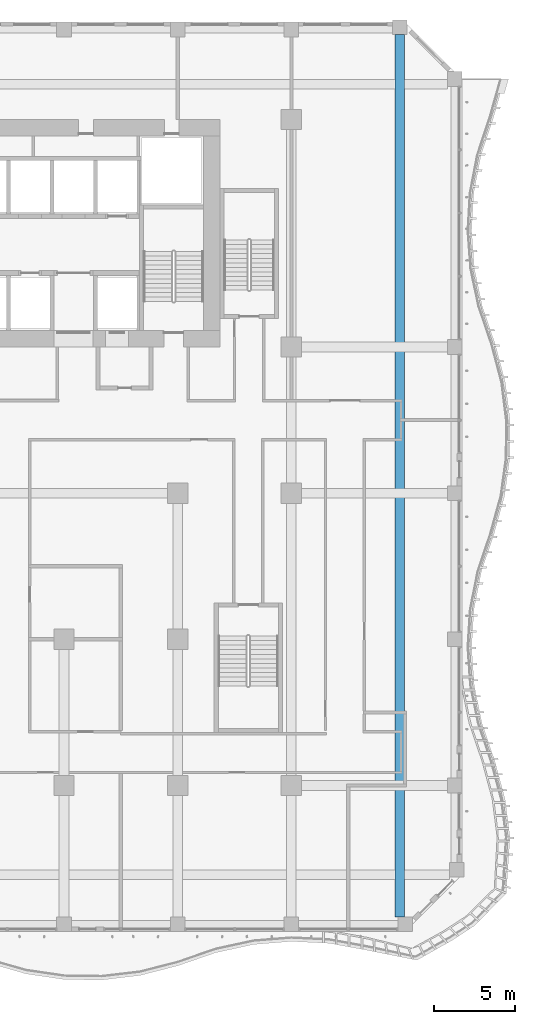
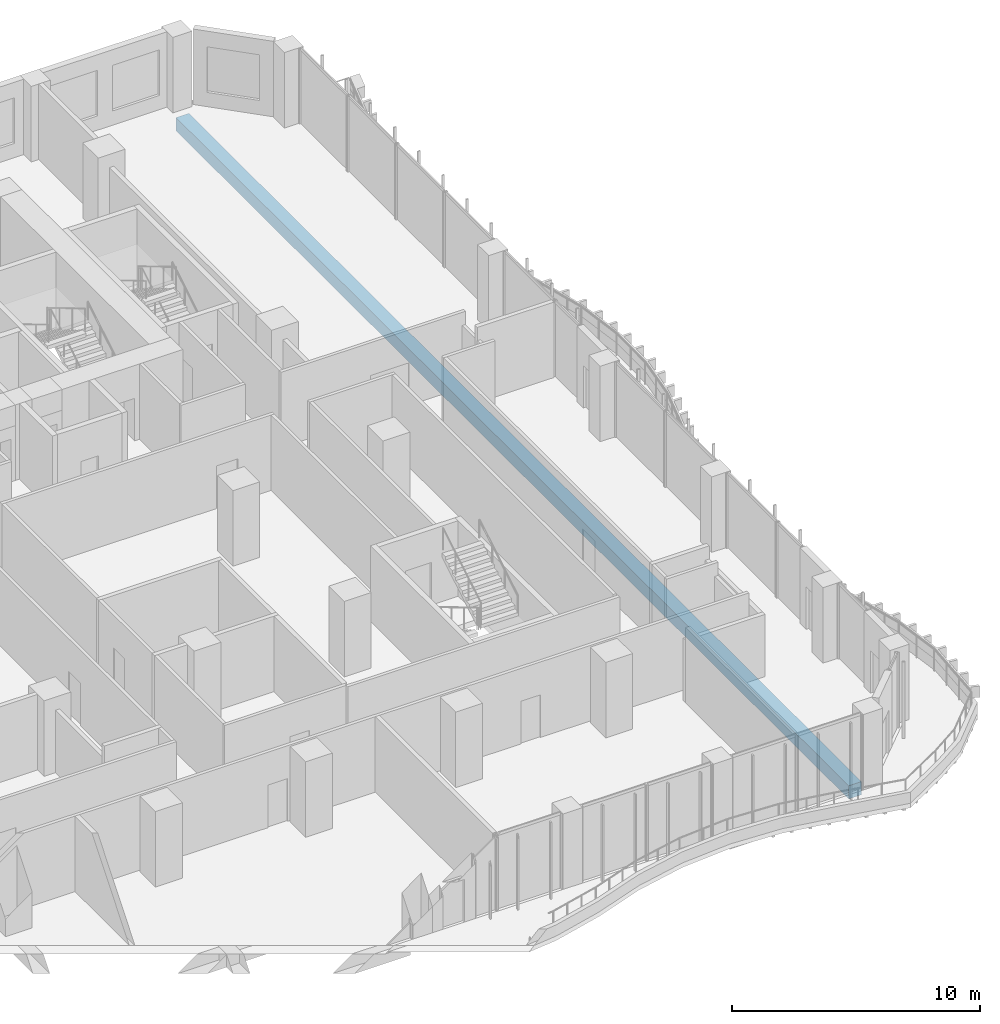
# One storey, part 8 of 29: 1 beam.
"""IFC4 building model written with IfcOpenShell, lengths in metres."""

from ifc_helpers import new_model, si_unit, direction, frame, origin, origin_2d, place, context, subcontext, project, spatial, rectangle, extrude, source, transform, mapped, material, material_profile, profile_set, type_object, element, save


model = new_model("IFC4")

# Units and contexts
model_context = context("Model", 3, precision=1e-05, world=origin(), true_north=direction((0.0, 1.0)))
body_context = subcontext(model_context, "Body", "Model", "MODEL_VIEW")
ifc_project = project(units=[si_unit("LENGTHUNIT", "METRE"), si_unit("AREAUNIT", "SQUARE_METRE"), si_unit("VOLUMEUNIT", "CUBIC_METRE"), si_unit("PLANEANGLEUNIT", "RADIAN"), si_unit("MASSUNIT", "GRAM", prefix="KILO")], contexts=[model_context])

# Site, building, storey
site_placement = place(None, origin())
site = spatial("IfcSite", under=ifc_project, at=site_placement, CompositionType="ELEMENT")
building_placement = place(site_placement, origin())
building = spatial("IfcBuilding", under=site, at=building_placement, Name="Kilnfold Tower and Market Hall", CompositionType="ELEMENT")
storey_placement = place(building_placement, frame((0.0, 0.0, 79.199951171875)))
storey = spatial("IfcBuildingStorey", under=building, at=storey_placement, Name="L18", CompositionType="ELEMENT", Elevation=79.199951171875)

# Beam
ifc_material = material(Name="Concrete C45", Category="concrete")
ifc_material_profile = material_profile(ifc_material, rectangle(XDim=0.60009765625, YDim=0.64990234375, at=origin_2d()), Name="RC 600x650")
ifc_profile_set = profile_set([ifc_material_profile], Name="Concrete C45")
beam_type = type_object("IfcBeamType", Name="BEAM 600X650 C45", PredefinedType="BEAM", material=ifc_profile_set)
shared_shape = source(origin(), body_context, "Body", "SweptSolid", [
    extrude(rectangle(XDim=0.60009765625, YDim=0.64990234375, at=origin_2d()), origin(), (0.0, 0.0, 1.0), 54.331787109375),
])
beam_placement = place(storey_placement, frame((29.179931640625, -27.10009765625, -0.60498046875), z_axis=(0.0, 1.0, 0.0), x_axis=(-1.0, 0.0, 0.0)))
element("IfcBeam", 1, at=beam_placement, inside=storey, type_object=beam_type, Name="Beam BB650-B2.98", PredefinedType="BEAM", context=body_context, shape_type="MappedRepresentation", body=[
    mapped(shared_shape, transform((0.0, 0.0, 0.0))),
])

save(model, "model.ifc")
